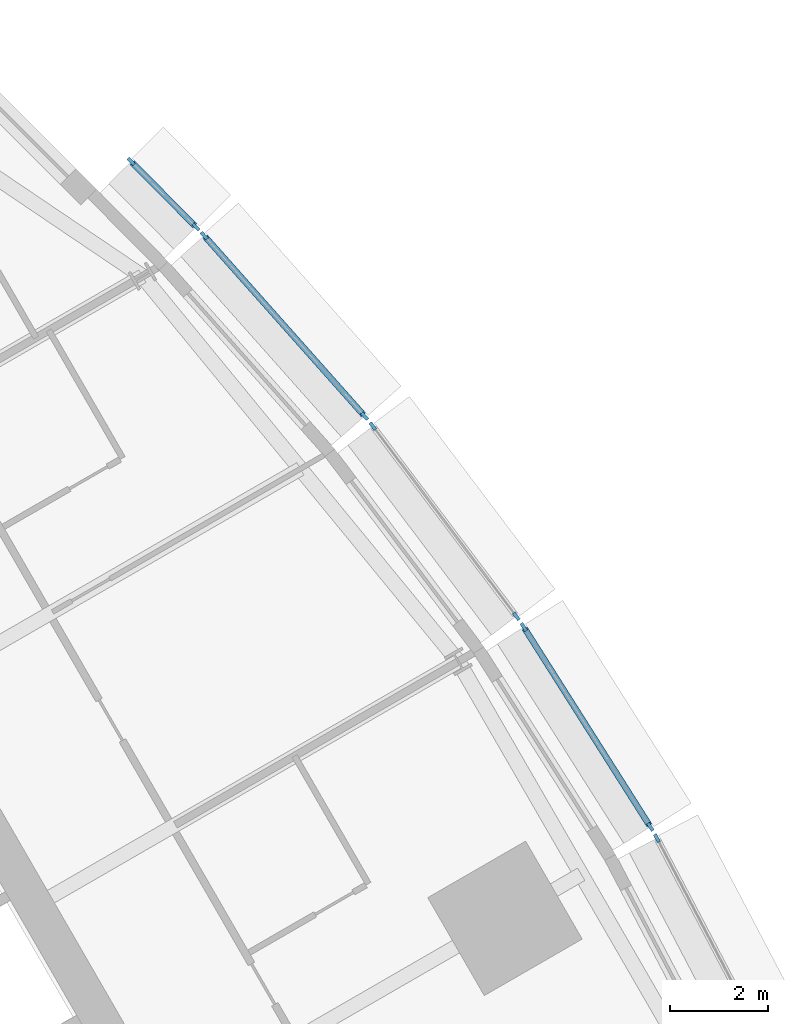
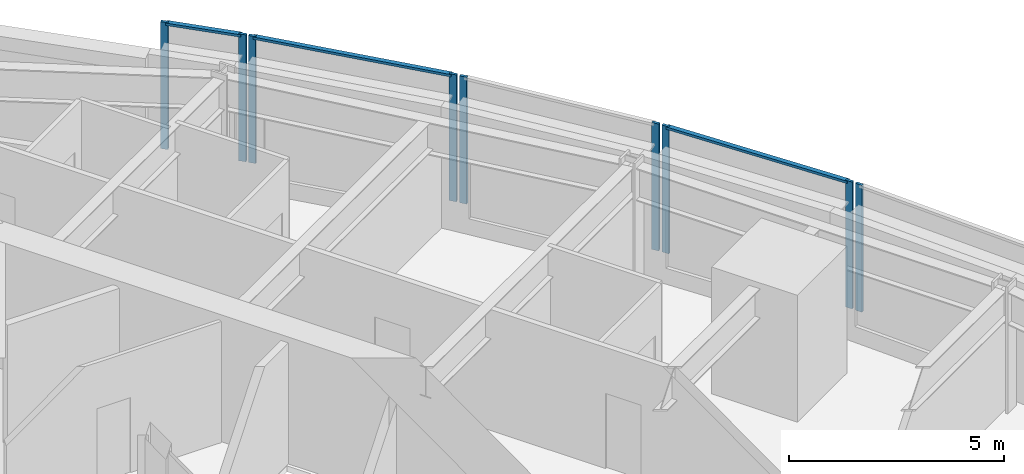
# One storey, part 6 of 15: 12 members, 5 elements without a shape of their own.
"""IFC4 building model written with IfcOpenShell, lengths in metres."""

from ifc_helpers import new_model, si_unit, direction, frame, origin, origin_2d, place, context, subcontext, project, spatial, rectangle, extrude, material, material_profile, profile_set, type_object, element, aggregate, save


model = new_model("IFC4")

# Units and contexts
model_context = context("Model", 3, precision=1e-05, world=origin(), true_north=direction((0.0, 1.0)))
body_context = subcontext(model_context, "Body", "Model", "MODEL_VIEW")
ifc_project = project(units=[si_unit("LENGTHUNIT", "METRE"), si_unit("AREAUNIT", "SQUARE_METRE"), si_unit("VOLUMEUNIT", "CUBIC_METRE"), si_unit("PLANEANGLEUNIT", "RADIAN"), si_unit("MASSUNIT", "GRAM", prefix="KILO")], contexts=[model_context])

# Site, building, storey
site_placement = place(None, origin())
site = spatial("IfcSite", under=ifc_project, at=site_placement, CompositionType="ELEMENT")
building_placement = place(site_placement, origin())
building = spatial("IfcBuilding", under=site, at=building_placement, Name="Trikona Tower", CompositionType="ELEMENT")
storey_placement = place(building_placement, frame((0.0, 0.0, 218.89990234375)))
storey = spatial("IfcBuildingStorey", under=building, at=storey_placement, Name="L58", CompositionType="ELEMENT", Elevation=218.89990234375)

# Curtain wall, member
ifc_material_1 = material(Name="Aluminium curtain wall system", Category="aluminium")
curtain_wall_type = type_object("IfcCurtainWallType", Name="Curtain wall DS3", PredefinedType="NOTDEFINED", material=ifc_material_1)
curtain_wall_1_placement = place(storey_placement, origin())
curtain_wall_1 = element("IfcCurtainWall", 1, at=curtain_wall_1_placement, inside=storey, type_object=curtain_wall_type, Name="Curtain wall DS3 L58", PredefinedType="NOTDEFINED")
ifc_material_2 = material(Name="Aluminium mullion, pale anodised", Category="aluminium")
ifc_material_profile_1 = material_profile(ifc_material_2, rectangle(XDim=0.070068359375, YDim=0.179931640625, at=origin_2d()), Name="MUL-DS3")
ifc_profile_set_1 = profile_set([ifc_material_profile_1], Name="Aluminium mullion, pale anodised")
member_type_1 = type_object("IfcMemberType", Name="Mullion DS3 70x180", PredefinedType="MULLION", material=ifc_profile_set_1)
member_1_placement = place(storey_placement, frame((18.40234375, 10.472412109375, 0.0), z_axis=(0.0, 0.0, 1.0), x_axis=(-0.885862390527, -0.463948084434, 0.0)))
member_1 = element("IfcMember", 2, at=member_1_placement, type_object=member_type_1, Name="CW-DS3 mullion 2", PredefinedType="MULLION", context=body_context, shape_type="SweptSolid", body=[
    extrude(rectangle(XDim=0.070068359375, YDim=0.179931640625, at=origin_2d()), origin(), (0.0, 0.0, 1.0), 3.60009765625),
])
aggregate(curtain_wall_1, [member_1])

# Curtain wall, members
curtain_wall_2_placement = place(storey_placement, origin())
curtain_wall_2 = element("IfcCurtainWall", 3, at=curtain_wall_2_placement, inside=storey, type_object=curtain_wall_type, Name="Curtain wall DS3 L58", PredefinedType="NOTDEFINED")
member_2_placement = place(storey_placement, frame((18.2705078125, 10.700927734375, 0.0), z_axis=(0.0, 0.0, 1.0), x_axis=(-0.844727131858, -0.535197227854, 0.0)))
member_2 = element("IfcMember", 4, at=member_2_placement, type_object=member_type_1, Name="CW-DS3 mullion 1", PredefinedType="MULLION", context=body_context, shape_type="SweptSolid", body=[
    extrude(rectangle(XDim=0.070068359375, YDim=0.179931640625, at=origin_2d()), origin(), (0.0, 0.0, 1.0), 3.60009765625),
])
member_3_placement = place(storey_placement, frame((15.69384765625, 14.767578125, 0.0), z_axis=(0.0, 0.0, 1.0), x_axis=(-0.844727131858, -0.535197227854, 0.0)))
member_3 = element("IfcMember", 5, at=member_3_placement, type_object=member_type_1, Name="CW-DS3 mullion 2", PredefinedType="MULLION", context=body_context, shape_type="SweptSolid", body=[
    extrude(rectangle(XDim=0.070068359375, YDim=0.179931640625, at=origin_2d()), origin(), (0.0, 0.0, 1.0), 3.60009765625),
])

curtain_wall_3_placement = place(storey_placement, origin())
curtain_wall_3 = element("IfcCurtainWall", 6, at=curtain_wall_3_placement, inside=storey, type_object=curtain_wall_type, Name="Curtain wall DS3 L58", PredefinedType="NOTDEFINED")
member_4_placement = place(storey_placement, frame((15.5439453125, 14.984130859375, 0.0), z_axis=(0.0, 0.0, 1.0), x_axis=(-0.798193208724, -0.602401528506, 0.0)))
member_4 = element("IfcMember", 7, at=member_4_placement, type_object=member_type_1, Name="CW-DS3 mullion 1", PredefinedType="MULLION", context=body_context, shape_type="SweptSolid", body=[
    extrude(rectangle(XDim=0.070068359375, YDim=0.179931640625, at=origin_2d()), origin(), (0.0, 0.0, 1.0), 3.60009765625),
])
member_5_placement = place(storey_placement, frame((12.62353515625, 18.853759765625, 0.0), z_axis=(0.0, 0.0, 1.0), x_axis=(-0.798193208724, -0.602401528506, 0.0)))
member_5 = element("IfcMember", 8, at=member_5_placement, type_object=member_type_1, Name="CW-DS3 mullion 2", PredefinedType="MULLION", context=body_context, shape_type="SweptSolid", body=[
    extrude(rectangle(XDim=0.070068359375, YDim=0.179931640625, at=origin_2d()), origin(), (0.0, 0.0, 1.0), 3.60009765625),
])
aggregate(curtain_wall_3, [member_4, member_5])

curtain_wall_4_placement = place(storey_placement, origin())
curtain_wall_4 = element("IfcCurtainWall", 9, at=curtain_wall_4_placement, inside=storey, type_object=curtain_wall_type, Name="Curtain wall DS3 L58", PredefinedType="NOTDEFINED")
member_6_placement = place(storey_placement, frame((12.45751953125, 19.056396484375, 0.0), z_axis=(0.0, 0.0, 1.0), x_axis=(-0.747402677853, -0.664371309689, 0.0)))
member_6 = element("IfcMember", 10, at=member_6_placement, type_object=member_type_1, Name="CW-DS3 mullion 1", PredefinedType="MULLION", context=body_context, shape_type="SweptSolid", body=[
    extrude(rectangle(XDim=0.070068359375, YDim=0.179931640625, at=origin_2d()), origin(), (0.0, 0.0, 1.0), 3.60009765625),
])
member_7_placement = place(storey_placement, frame((9.192138671875, 22.729736328125, 0.0), z_axis=(0.0, 0.0, 1.0), x_axis=(-0.747402677853, -0.664371309689, 0.0)))
member_7 = element("IfcMember", 11, at=member_7_placement, type_object=member_type_1, Name="CW-DS3 mullion 2", PredefinedType="MULLION", context=body_context, shape_type="SweptSolid", body=[
    extrude(rectangle(XDim=0.070068359375, YDim=0.179931640625, at=origin_2d()), origin(), (0.0, 0.0, 1.0), 3.60009765625),
])

curtain_wall_5_placement = place(storey_placement, origin())
curtain_wall_5 = element("IfcCurtainWall", 12, at=curtain_wall_5_placement, inside=storey, type_object=curtain_wall_type, Name="Curtain wall DS3 L58", PredefinedType="NOTDEFINED")
member_8_placement = place(storey_placement, frame((9.028564453125, 22.904052734375, 0.0), z_axis=(0.0, 0.0, 1.0), x_axis=(-0.710051900554, -0.704149343903, 0.0)))
member_8 = element("IfcMember", 13, at=member_8_placement, type_object=member_type_1, Name="CW-DS3 mullion 1", PredefinedType="MULLION", context=body_context, shape_type="SweptSolid", body=[
    extrude(rectangle(XDim=0.070068359375, YDim=0.179931640625, at=origin_2d()), origin(), (0.0, 0.0, 1.0), 3.60009765625),
])
member_9_placement = place(storey_placement, frame((7.7060546875, 24.237548828125, 0.0), z_axis=(0.0, 0.0, 1.0), x_axis=(-0.710051900554, -0.704149343903, 0.0)))
member_9 = element("IfcMember", 14, at=member_9_placement, type_object=member_type_1, Name="CW-DS3 mullion 2", PredefinedType="MULLION", context=body_context, shape_type="SweptSolid", body=[
    extrude(rectangle(XDim=0.070068359375, YDim=0.179931640625, at=origin_2d()), origin(), (0.0, 0.0, 1.0), 3.60009765625),
])

# Member
ifc_material_3 = material(Name="Aluminium transom, pale anodised", Category="aluminium")
ifc_material_profile_2 = material_profile(ifc_material_3, rectangle(XDim=0.1201171875, YDim=0.070068359375, at=origin_2d()), Name="TRN-DS3")
ifc_profile_set_2 = profile_set([ifc_material_profile_2], Name="Aluminium transom, pale anodised")
member_type_2 = type_object("IfcMemberType", Name="Transom DS3 70x120", PredefinedType="USERDEFINED", material=ifc_profile_set_2)
member_10_placement = place(storey_placement, frame((18.251708984375, 10.73046875, 3.565185546875), z_axis=(-0.535192866729, 0.844729894938, 0.0), x_axis=(-0.844729894938, -0.535192866729, 0.0)))
member_10 = element("IfcMember", 15, at=member_10_placement, type_object=member_type_2, Name="CW-DS3 transom 1.1", ObjectType="TRANSOM", PredefinedType="USERDEFINED", context=body_context, shape_type="SweptSolid", body=[
    extrude(rectangle(XDim=0.1201171875, YDim=0.070068359375, at=origin_2d()), origin(), (0.0, 0.0, 1.0), 4.744140625),
])

aggregate(curtain_wall_2, [member_2, member_3, member_10])

member_11_placement = place(storey_placement, frame((12.43408203125, 19.08251953125, 3.565185546875), z_axis=(-0.66436383883, 0.747409318684, 0.0), x_axis=(-0.747409318684, -0.66436383883, 0.0)))
member_11 = element("IfcMember", 16, at=member_11_placement, type_object=member_type_2, Name="CW-DS3 transom 1.1", ObjectType="TRANSOM", PredefinedType="USERDEFINED", context=body_context, shape_type="SweptSolid", body=[
    extrude(rectangle(XDim=0.1201171875, YDim=0.070068359375, at=origin_2d()), origin(), (0.0, 0.0, 1.0), 4.844970703125),
])

aggregate(curtain_wall_4, [member_6, member_7, member_11])

member_12_placement = place(storey_placement, frame((9.00390625, 22.9287109375, 3.565185546875), z_axis=(-0.704130668076, 0.710070420645, 0.0), x_axis=(-0.710070420645, -0.704130668076, 0.0)))
member_12 = element("IfcMember", 17, at=member_12_placement, type_object=member_type_2, Name="CW-DS3 transom 1.1", ObjectType="TRANSOM", PredefinedType="USERDEFINED", context=body_context, shape_type="SweptSolid", body=[
    extrude(rectangle(XDim=0.1201171875, YDim=0.070068359375, at=origin_2d()), origin(), (0.0, 0.0, 1.0), 1.80859375),
])

aggregate(curtain_wall_5, [member_8, member_9, member_12])

save(model, "model.ifc")
